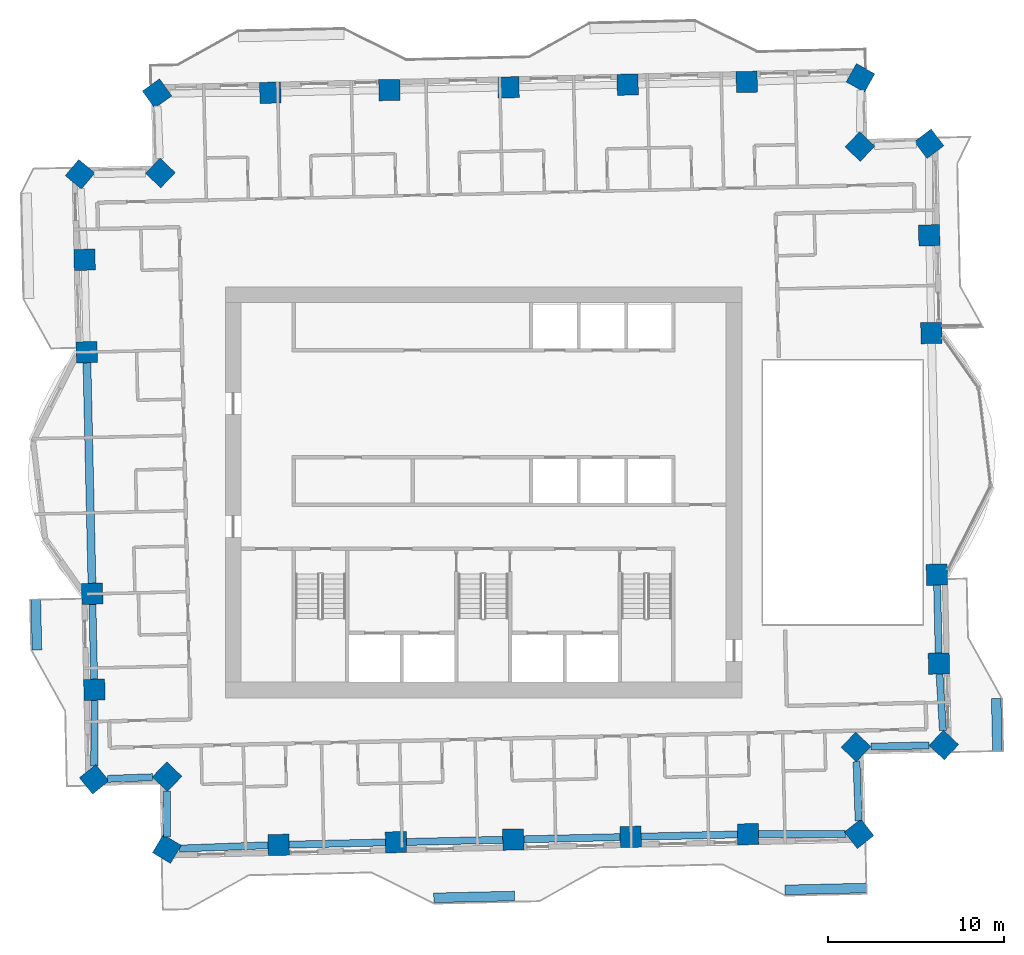
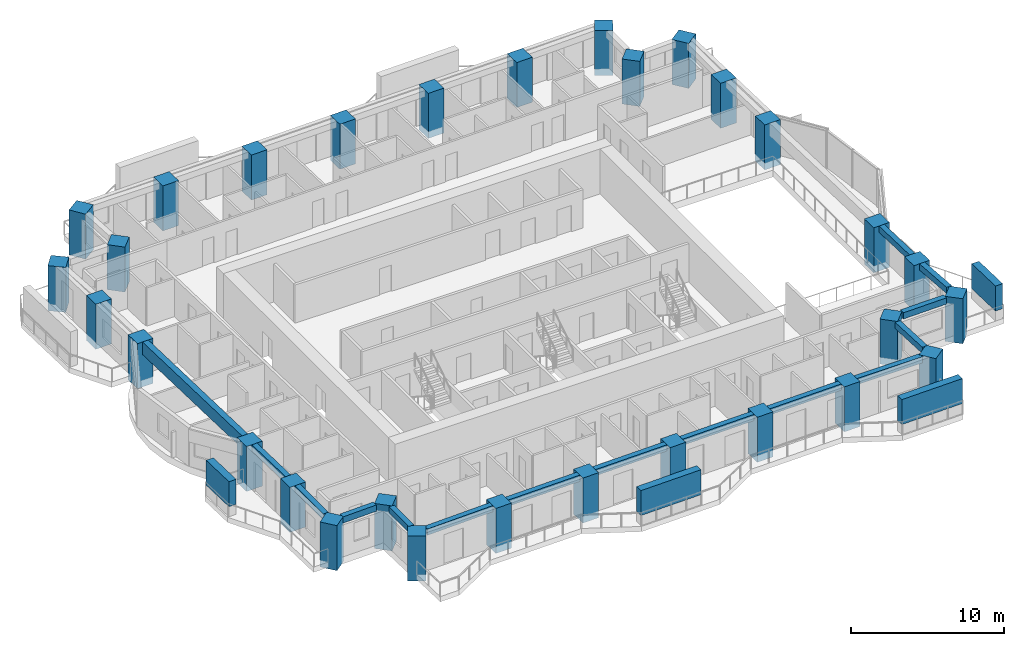
# One storey, part 1 of 14: 30 columns, 15 beams, 4 members.
"""IFC4 building model written with IfcOpenShell, lengths in metres."""

from ifc_helpers import new_model, si_unit, direction, frame, origin, origin_2d, place, context, subcontext, project, spatial, rectangle, extrude, material, material_profile, profile_set, type_object, element, save


model = new_model("IFC4")

# Units and contexts
model_context = context("Model", 3, precision=1e-05, world=origin(), true_north=direction((0.0, 1.0)))
body_context = subcontext(model_context, "Body", "Model", "MODEL_VIEW")
ifc_project = project(units=[si_unit("LENGTHUNIT", "METRE"), si_unit("AREAUNIT", "SQUARE_METRE"), si_unit("VOLUMEUNIT", "CUBIC_METRE"), si_unit("PLANEANGLEUNIT", "RADIAN"), si_unit("MASSUNIT", "GRAM", prefix="KILO")], contexts=[model_context])

# Site, building, storey
site_placement = place(None, origin())
site = spatial("IfcSite", under=ifc_project, at=site_placement, CompositionType="ELEMENT")
building_placement = place(site_placement, origin())
building = spatial("IfcBuilding", under=site, at=building_placement, Name="Mangrove Gate Tower", CompositionType="ELEMENT")
storey_placement = place(building_placement, frame((0.0, 0.0, 186.10009765625)))
storey = spatial("IfcBuildingStorey", under=building, at=storey_placement, Name="L47", CompositionType="ELEMENT", Elevation=186.10009765625)

# Columns
ifc_material_1 = material(Name="Concrete C60/75", Category="concrete")
ifc_material_profile_1 = material_profile(ifc_material_1, rectangle(XDim=1.199951171875, YDim=1.199951171875, at=origin_2d()))
ifc_profile_set_1 = profile_set([ifc_material_profile_1], Name="Concrete C60/75")
column_type = type_object("IfcColumnType", Name="Column RC 1200x1200 C60/75", PredefinedType="COLUMN", material=ifc_profile_set_1)
for number, where, z_axis, x_axis, name in (
    (1, (-22.278076171875, -5.769287109375, -0.550048828125), (0.0, 0.0, 1.0), (0.022693021881, -0.999742480221, 0.0), "Column L47 W05"),
    (2, (-22.154052734375, -11.2294921875, -0.550048828125), (0.0, 0.0, 1.0), (0.022702688514, -0.999742260752, 0.0), "Column L47 W06"),
    (3, (-22.162841796875, -16.32763671875, -0.550048828125), (0.0, 0.0, 1.0), (0.627363756843, -0.778726342562, 0.0), "Column L47 W07"),
    (4, (-18.016357421875, -16.17529296875, -0.550048828125), (0.0, 0.0, 1.0), (0.722919671176, -0.69093208713, 0.0), "Column L47 W08"),
    (5, (-18.0283203125, -20.29296875, -0.550048828125), (0.0, 0.0, 1.0), (0.858408426084, -0.512966835213, 0.0), "Column L47 S01"),
    (6, (-11.670654296875, -20.05712890625, -0.550048828125), (0.0, 0.0, 1.0), (0.99974280054, 0.022678905801, 0.0), "Column L47 S02"),
    (7, (-4.99267578125, -19.9052734375, -0.550048828125), (0.0, 0.0, 1.0), (0.999741061935, 0.022755418739, 0.0), "Column L47 S03"),
    (8, (1.685302734375, -19.753173828125, -0.550048828125), (0.0, 0.0, 1.0), (0.99974280054, 0.022678905801, 0.0), "Column L47 S04"),
    (9, (8.364501953125, -19.60205078125, -0.550048828125), (0.0, 0.0, 1.0), (0.99974280054, 0.022678905801, 0.0), "Column L47 S05"),
    (10, (15.04248046875, -19.4501953125, -0.550048828125), (0.0, 0.0, 1.0), (0.999742762144, 0.022680598335, 0.0), "Column L47 S06"),
    (11, (21.36376953125, -19.427001953125, -0.550048828125), (0.0, 0.0, 1.0), (0.786796358031, 0.617212678895, 0.0), "Column L47 S07"),
    (12, (21.187255859375, -14.485595703125, -0.550048828125), (0.0, 0.0, 1.0), (0.690872556232, 0.722976563275, 0.0), "Column L47 E01"),
    (13, (26.1826171875, -14.375244140625, -0.550048828125), (0.0, 0.0, 1.0), (0.686359333294, 0.727262583666, 0.0), "Column L47 E02"),
    (14, (25.904052734375, -9.739501953125, -0.550048828125), (0.0, 0.0, 1.0), (-0.022618201372, 0.99974417576, 0.0), "Column L47 E03"),
    (15, (25.7900390625, -4.678466796875, -0.550048828125), (0.0, 0.0, 1.0), (-0.022642926354, 0.999743616077, 0.0), "Column L47 E04"),
    (16, (25.478271484375, 9.0693359375, -0.550048828125), (0.0, 0.0, 1.0), (-0.022730815961, 0.999741621623, 0.0), "Column L47 E05"),
    (17, (25.35107421875, 14.62939453125, -0.550048828125), (0.0, 0.0, 1.0), (-0.022743867649, 0.999741324786, 0.0), "Column L47 E06"),
    (18, (25.345947265625, 19.8427734375, -0.550048828125), (0.0, 0.0, 1.0), (-0.60202964529, 0.798473735443, 0.0), "Column L47 E07"),
    (19, (21.411376953125, 19.68017578125, -0.550048828125), (0.0, 0.0, 1.0), (-0.722837628433, 0.691017917945, 0.0), "Column L47 E08"),
    (20, (21.44287109375, 23.58935546875, -0.550048828125), (0.0, 0.0, 1.0), (-0.87259482079, 0.488444755045, 0.0), "Column L47 N01"),
    (21, (14.970703125, 23.359130859375, -0.550048828125), (0.0, 0.0, 1.0), (-0.99974202573, -0.022713035648, 0.0), "Column L47 N02"),
    (22, (8.192626953125, 23.205078125, -0.550048828125), (0.0, 0.0, 1.0), (-0.999741987673, -0.022714710732, 0.0), "Column L47 N03"),
    (23, (1.41455078125, 23.05126953125, -0.550048828125), (0.0, 0.0, 1.0), (-0.999741987673, -0.022714710732, 0.0), "Column L47 N04"),
    (24, (-5.363525390625, 22.897216796875, -0.550048828125), (0.0, 0.0, 1.0), (-0.99974369748, -0.022639331897, 0.0), "Column L47 N05"),
    (25, (-12.142333984375, 22.744140625, -0.550048828125), (0.0, 0.0, 1.0), (-0.99974369748, -0.022639331897, 0.0), "Column L47 N06"),
    (26, (-18.5859375, 22.701171875, -0.550048828125), (0.0, 0.0, 1.0), (-0.814549066691, -0.580094662924, 0.0), "Column L47 N07"),
    (27, (-18.396240234375, 18.176513671875, -0.550048828125), (0.0, 0.0, 1.0), (-0.690859559249, -0.722988982899, 0.0), "Column L47 W01"),
    (28, (-22.967529296875, 18.1025390625, -0.550048828125), (0.0, 0.0, 1.0), (-0.640873753585, -0.767646293527, 0.0), "Column L47 W02"),
    (29, (-22.709228515625, 13.239501953125, -0.550048828125), (0.0, 0.0, 1.0), (0.022613490188, -0.999744282335, 0.0), "Column L47 W03"),
    (30, (-22.590087890625, 7.978515625, -0.550048828125), (0.0, 0.0, 1.0), (0.022667651322, -0.999743055782, 0.0), "Column L47 W04"),
):
    element("IfcColumn", number, at=place(storey_placement, frame(where, z_axis=z_axis, x_axis=x_axis)), inside=storey, type_object=column_type, Name=name, PredefinedType="COLUMN", context=body_context, shape_type="SweptSolid", body=[
        extrude(rectangle(XDim=1.199951171875, YDim=1.199951171875, at=origin_2d()), origin(), (0.0, 0.0, 1.0), 3.599853515625),
    ])

# Members
ifc_material_2 = material(Name="Planting on aluminium trellis", Category="aluminium")
ifc_material_profile_2 = material_profile(ifc_material_2, rectangle(XDim=0.550048828125, YDim=2.0, at=origin_2d()))
ifc_profile_set_2 = profile_set([ifc_material_profile_2], Name="Planting on aluminium trellis")
member_type = type_object("IfcMemberType", Name="Balcony greenery screen 550x2000", PredefinedType="USERDEFINED", material=ifc_profile_set_2)
member_1_placement = place(storey_placement, frame((29.23388671875, -14.72705078125, 1.7998046875), z_axis=(-0.022625271604, 0.999744015778, 0.0), x_axis=(-0.999744015778, -0.022625271604, 0.0)))
element("IfcMember", 31, at=member_1_placement, inside=storey, type_object=member_type, Name="GREEN SCREEN L47 E0.1", ObjectType="PLANTING", PredefinedType="USERDEFINED", context=body_context, shape_type="SweptSolid", body=[
    extrude(rectangle(XDim=0.550048828125, YDim=2.0, at=origin_2d()), origin(), (0.0, 0.0, 1.0), 2.999755859375),
])
member_2_placement = place(storey_placement, frame((-25.4208984375, -8.966064453125, 1.7998046875), z_axis=(-0.022675106248, 0.999742886725, 0.0), x_axis=(-0.999742886725, -0.022675106248, 0.0)))
element("IfcMember", 32, at=member_2_placement, inside=storey, type_object=member_type, Name="GREEN SCREEN L47 W1.1", ObjectType="PLANTING", PredefinedType="USERDEFINED", context=body_context, shape_type="SweptSolid", body=[
    extrude(rectangle(XDim=0.550048828125, YDim=2.0, at=origin_2d()), origin(), (0.0, 0.0, 1.0), 2.874755859375),
])
member_3_placement = place(storey_placement, frame((-2.840087890625, -23.072021484375, 1.7998046875), z_axis=(0.999744404568, 0.02260808559, 0.0), x_axis=(-0.02260808559, 0.999744404568, 0.0)))
element("IfcMember", 33, at=member_3_placement, inside=storey, type_object=member_type, Name="GREEN SCREEN L47 S0.1", ObjectType="PLANTING", PredefinedType="USERDEFINED", context=body_context, shape_type="SweptSolid", body=[
    extrude(rectangle(XDim=0.550048828125, YDim=2.0, at=origin_2d()), origin(), (0.0, 0.0, 1.0), 4.600341796875),
])
member_4_placement = place(storey_placement, frame((17.155029296875, -22.617919921875, 1.7998046875), z_axis=(0.999744031086, 0.022624595199, 0.0), x_axis=(-0.022624595199, 0.999744031086, 0.0)))
element("IfcMember", 34, at=member_4_placement, inside=storey, type_object=member_type, Name="GREEN SCREEN L47 S1.1", ObjectType="PLANTING", PredefinedType="USERDEFINED", context=body_context, shape_type="SweptSolid", body=[
    extrude(rectangle(XDim=0.550048828125, YDim=2.0, at=origin_2d()), origin(), (0.0, 0.0, 1.0), 4.64013671875),
])

# Beams
ifc_material_3 = material(Name="Concrete C50/60", Category="concrete")
ifc_material_profile_3 = material_profile(ifc_material_3, rectangle(XDim=0.39990234375, YDim=0.5, at=origin_2d()))
ifc_profile_set_3 = profile_set([ifc_material_profile_3], Name="Concrete C50/60")
beam_type_1 = type_object("IfcBeamType", Name="Edge beam RC 400x500 C50/60", PredefinedType="BEAM", material=ifc_profile_set_3)
beam_1_placement = place(storey_placement, frame((-22.2646484375, -6.369140625, 2.7998046875), z_axis=(0.022743528108, -0.99974133251, 0.0), x_axis=(0.99974133251, 0.022743528108, 0.0)))
element("IfcBeam", 35, at=beam_1_placement, inside=storey, type_object=beam_type_1, Name="Edge beam L47 00", PredefinedType="BEAM", context=body_context, shape_type="SweptSolid", body=[
    extrude(rectangle(XDim=0.39990234375, YDim=0.5, at=origin_2d()), origin(), (0.0, 0.0, 1.0), 4.26171875),
])
beam_2_placement = place(storey_placement, frame((-22.1552734375, -11.82958984375, 2.7998046875), z_axis=(-0.001637838474, -0.999998658742, 0.0), x_axis=(0.999998658742, -0.001637838474, 0.0)))
element("IfcBeam", 36, at=beam_2_placement, inside=storey, type_object=beam_type_1, Name="Edge beam L47 01", PredefinedType="BEAM", context=body_context, shape_type="SweptSolid", body=[
    extrude(rectangle(XDim=0.39990234375, YDim=0.5, at=origin_2d()), origin(), (0.0, 0.0, 1.0), 3.7265625),
])
beam_3_placement = place(storey_placement, frame((-21.414306640625, -16.300048828125, 2.7998046875), z_axis=(0.999327431399, 0.036669944824, 0.0), x_axis=(-0.036669944824, 0.999327431399, 0.0)))
element("IfcBeam", 37, at=beam_3_placement, inside=storey, type_object=beam_type_1, Name="Edge beam L47 02", PredefinedType="BEAM", context=body_context, shape_type="SweptSolid", body=[
    extrude(rectangle(XDim=0.39990234375, YDim=0.5, at=origin_2d()), origin(), (0.0, 0.0, 1.0), 2.563232421875),
])
beam_4_placement = place(storey_placement, frame((-18.018798828125, -17.0029296875, 2.7998046875), z_axis=(-0.002825379568, -0.999996008607, 0.0), x_axis=(0.999996008607, -0.002825379568, 0.0)))
element("IfcBeam", 38, at=beam_4_placement, inside=storey, type_object=beam_type_1, Name="Edge beam L47 03", PredefinedType="BEAM", context=body_context, shape_type="SweptSolid", body=[
    extrude(rectangle(XDim=0.39990234375, YDim=0.5, at=origin_2d()), origin(), (0.0, 0.0, 1.0), 2.59228515625),
])
beam_5_placement = place(storey_placement, frame((-17.3134765625, -20.266357421875, 2.7998046875), z_axis=(0.999313176036, 0.03705639216, 0.0), x_axis=(-0.03705639216, 0.999313176036, 0.0)))
element("IfcBeam", 39, at=beam_5_placement, inside=storey, type_object=beam_type_1, Name="Edge beam L47 04", PredefinedType="BEAM", context=body_context, shape_type="SweptSolid", body=[
    extrude(rectangle(XDim=0.39990234375, YDim=0.5, at=origin_2d()), origin(), (0.0, 0.0, 1.0), 5.046630859375),
])
for number, where, z_axis, x_axis, name in (
    (40, (-11.07080078125, -20.04345703125, 2.7998046875), (0.999740799445, 0.022766948104, 0.0), (-0.022766948104, 0.999740799445, 0.0), "Edge beam L47 05"),
    (41, (-4.392822265625, -19.8916015625, 2.7998046875), (0.999740799445, 0.022766948104, 0.0), (-0.022766948104, 0.999740799445, 0.0), "Edge beam L47 06"),
):
    element("IfcBeam", number, at=place(storey_placement, frame(where, z_axis=z_axis, x_axis=x_axis)), inside=storey, type_object=beam_type_1, Name=name, PredefinedType="BEAM", context=body_context, shape_type="SweptSolid", body=[
        extrude(rectangle(XDim=0.39990234375, YDim=0.5, at=origin_2d()), origin(), (0.0, 0.0, 1.0), 5.479736328125),
    ])
beam_6_placement = place(storey_placement, frame((2.28515625, -19.739501953125, 2.7998046875), z_axis=(0.999744953581, 0.022583794843, 0.0), x_axis=(-0.022583794843, 0.999744953581, 0.0)))
element("IfcBeam", 42, at=beam_6_placement, inside=storey, type_object=beam_type_1, Name="Edge beam L47 07", PredefinedType="BEAM", context=body_context, shape_type="SweptSolid", body=[
    extrude(rectangle(XDim=0.39990234375, YDim=0.5, at=origin_2d()), origin(), (0.0, 0.0, 1.0), 5.48095703125),
])
beam_7_placement = place(storey_placement, frame((8.96435546875, -19.588623046875, 2.7998046875), z_axis=(0.999740799445, 0.022766948104, 0.0), x_axis=(-0.022766948104, 0.999740799445, 0.0)))
element("IfcBeam", 43, at=beam_7_placement, inside=storey, type_object=beam_type_1, Name="Edge beam L47 08", PredefinedType="BEAM", context=body_context, shape_type="SweptSolid", body=[
    extrude(rectangle(XDim=0.39990234375, YDim=0.5, at=origin_2d()), origin(), (0.0, 0.0, 1.0), 5.479736328125),
])
beam_8_placement = place(storey_placement, frame((15.642578125, -19.447998046875, 2.7998046875), z_axis=(0.999993187862, 0.003691101387, 0.0), x_axis=(-0.003691101387, 0.999993187862, 0.0)))
element("IfcBeam", 44, at=beam_8_placement, inside=storey, type_object=beam_type_1, Name="Edge beam L47 09", PredefinedType="BEAM", context=body_context, shape_type="SweptSolid", body=[
    extrude(rectangle(XDim=0.39990234375, YDim=0.5, at=origin_2d()), origin(), (0.0, 0.0, 1.0), 4.960693359375),
])
beam_9_placement = place(storey_placement, frame((21.337158203125, -18.68505859375, 2.7998046875), z_axis=(-0.035701883706, 0.999362484537, 0.0), x_axis=(-0.999362484537, -0.035701883706, 0.0)))
element("IfcBeam", 45, at=beam_9_placement, inside=storey, type_object=beam_type_1, Name="Edge beam L47 10", PredefinedType="BEAM", context=body_context, shape_type="SweptSolid", body=[
    extrude(rectangle(XDim=0.39990234375, YDim=0.5, at=origin_2d()), origin(), (0.0, 0.0, 1.0), 3.364501953125),
])
beam_10_placement = place(storey_placement, frame((22.034912109375, -14.466796875, 2.7998046875), z_axis=(0.99975619393, 0.022080595508, 0.0), x_axis=(-0.022080595508, 0.99975619393, 0.0)))
element("IfcBeam", 46, at=beam_10_placement, inside=storey, type_object=beam_type_1, Name="Edge beam L47 11", PredefinedType="BEAM", context=body_context, shape_type="SweptSolid", body=[
    extrude(rectangle(XDim=0.39990234375, YDim=0.5, at=origin_2d()), origin(), (0.0, 0.0, 1.0), 3.305908203125),
])
beam_11_placement = place(storey_placement, frame((26.13330078125, -13.55322265625, 2.7998046875), z_axis=(-0.059970856871, 0.998200128394, 0.0), x_axis=(-0.998200128394, -0.059970856871, 0.0)))
element("IfcBeam", 47, at=beam_11_placement, inside=storey, type_object=beam_type_1, Name="Edge beam L47 12", PredefinedType="BEAM", context=body_context, shape_type="SweptSolid", body=[
    extrude(rectangle(XDim=0.39990234375, YDim=0.5, at=origin_2d()), origin(), (0.0, 0.0, 1.0), 3.22021484375),
])
beam_12_placement = place(storey_placement, frame((25.890625, -9.1396484375, 2.7998046875), z_axis=(-0.022503151924, 0.999746772015, 0.0), x_axis=(-0.999746772015, -0.022503151924, 0.0)))
element("IfcBeam", 48, at=beam_12_placement, inside=storey, type_object=beam_type_1, Name="Edge beam L47 13", PredefinedType="BEAM", context=body_context, shape_type="SweptSolid", body=[
    extrude(rectangle(XDim=0.39990234375, YDim=0.5, at=origin_2d()), origin(), (0.0, 0.0, 1.0), 3.8623046875),
])
ifc_material_4 = material(Name="Concrete C50/60", Category="concrete")
ifc_material_profile_4 = material_profile(ifc_material_4, rectangle(XDim=0.449951171875, YDim=1.0, at=origin_2d()))
ifc_profile_set_4 = profile_set([ifc_material_profile_4], Name="Concrete C50/60")
beam_type_2 = type_object("IfcBeamType", Name="Edge beam RC 450x1000 C50/60", PredefinedType="BEAM", material=ifc_profile_set_4)
beam_13_placement = place(storey_placement, frame((-22.57666015625, 7.378662109375, 2.5498046875), z_axis=(0.022699754772, -0.999742327369, 0.0), x_axis=(0.999742327369, 0.022699754772, 0.0)))
element("IfcBeam", 49, at=beam_13_placement, inside=storey, type_object=beam_type_2, Name="Edge beam L47 29", PredefinedType="BEAM", context=body_context, shape_type="SweptSolid", body=[
    extrude(rectangle(XDim=0.449951171875, YDim=1.0, at=origin_2d()), origin(), (0.0, 0.0, 1.0), 12.55126953125),
])

save(model, "model.ifc")
